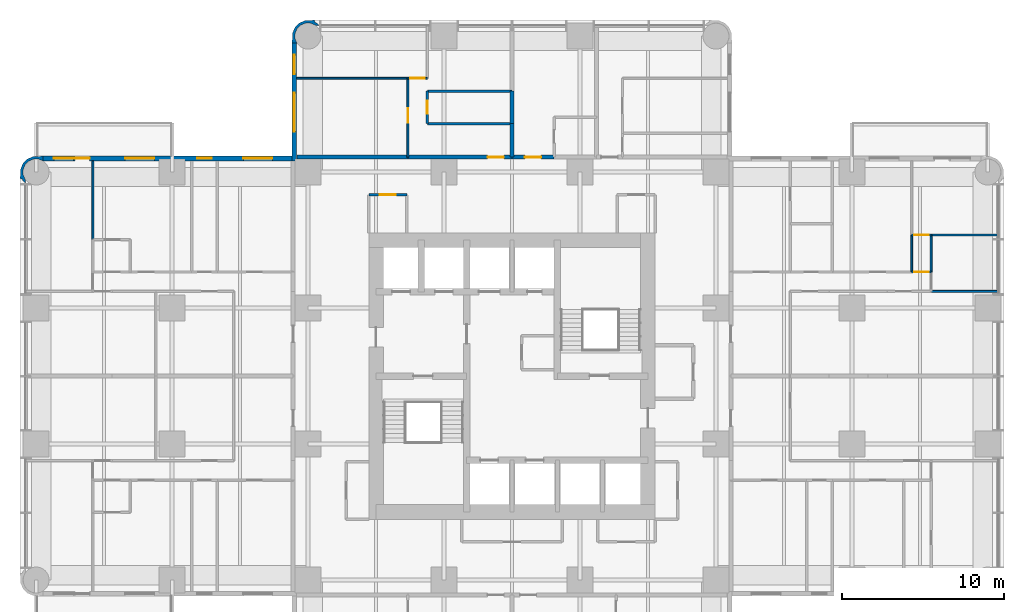
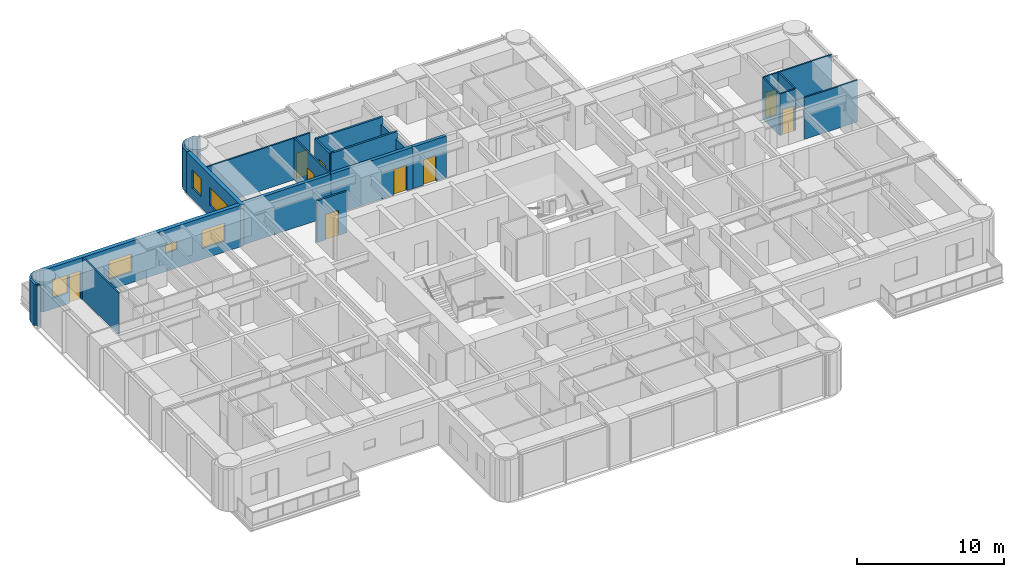
# One storey, part 11 of 15: 23 walls, 9 doors, 6 windows, 15 openings.
"""IFC4 building model written with IfcOpenShell, lengths in metres."""

from ifc_helpers import new_model, si_unit, direction, frame, frame_2d, origin, place, context, subcontext, project, spatial, polyline, rectangle, outline, extrude, material, layer, layer_set, type_object, element, fill, save


model = new_model("IFC4")

# Units and contexts
model_context = context("Model", 3, precision=1e-05, world=origin(), true_north=direction((0.0, 1.0)))
body_context = subcontext(model_context, "Body", "Model", "MODEL_VIEW")
ifc_project = project(units=[si_unit("LENGTHUNIT", "METRE"), si_unit("AREAUNIT", "SQUARE_METRE"), si_unit("VOLUMEUNIT", "CUBIC_METRE"), si_unit("PLANEANGLEUNIT", "RADIAN"), si_unit("MASSUNIT", "GRAM", prefix="KILO")], contexts=[model_context])

# Site, building, storey
site_placement = place(None, origin())
site = spatial("IfcSite", under=ifc_project, at=site_placement, CompositionType="ELEMENT")
building_placement = place(site_placement, origin())
building = spatial("IfcBuilding", under=site, at=building_placement, Name="Torre Alcanfor", CompositionType="ELEMENT")
storey_placement = place(building_placement, frame((0.0, 0.0, 152.10009765625)))
storey = spatial("IfcBuildingStorey", under=building, at=storey_placement, Name="L39", CompositionType="ELEMENT", Elevation=152.10009765625)

# Wall, opening, door
ifc_material_1 = material(Name="Concrete block masonry, hollow blocks NMX-C-404 9 MPa", Category="masonry")
ifc_layer_1 = layer(ifc_material_1, 0.25)
ifc_layer_set_1 = layer_set([ifc_layer_1], Name="Apartment entrance wall 250 EI 60")
wall_type_1 = type_object("IfcWallType", Name="Apartment entrance wall 250 EI 60", PredefinedType="PARTITIONING", material=ifc_layer_set_1)
wall_1_placement = place(storey_placement, frame((22.970947265625, 42.925048828125, 0.0), z_axis=(0.0, 0.0, 1.0), x_axis=(1.0, 0.0, 0.0)))
wall_1 = element("IfcWall", 1, at=wall_1_placement, inside=storey, type_object=wall_type_1, Name="Partition L39-CORR / L39-N1-LIVING", PredefinedType="PARTITIONING", context=body_context, shape_type="SweptSolid", body=[
    extrude(rectangle(XDim=6.428955078125, YDim=0.25, at=frame_2d((3.21435546875, 0.0))), origin(), (0.0, 0.0, 1.0), 3.449951171875),
])
opening_1_placement = place(wall_1_placement, frame((4.928955078125, 0.0, 0.0)))
opening_1 = element("IfcOpeningElement", 2, at=opening_1_placement, cuts=wall_1, Name="Opening D-A1", PredefinedType="OPENING", context=body_context, shape_type="SweptSolid", body=[
    extrude(rectangle(XDim=1.0, YDim=2.10009765625, at=frame_2d((0.5, 1.050048828125))), frame((0.0, 0.135009765625, 0.0), z_axis=(0.0, -1.0, 0.0), x_axis=(1.0, 0.0, 0.0)), (0.0, 0.0, 1.0), 0.27001953125),
])
ifc_material_2 = material(Name="Galvanised steel sheet ASTM A653", Category="steel")
door_type_1 = type_object("IfcDoorType", Name="Apartment entrance door FD60 1000x2100", OperationType="SINGLE_SWING_LEFT", PredefinedType="DOOR", material=ifc_material_2)
door_1_placement = place(opening_1_placement, origin())
door_1 = element("IfcDoor", 3, at=door_1_placement, inside=storey, type_object=door_type_1, Name="Apartment entrance L39-N1", OperationType="SINGLE_SWING_RIGHT", OverallHeight=2.10009765625, OverallWidth=1.0, PredefinedType="DOOR", context=body_context, shape_type="SweptSolid", body=[
    extrude(rectangle(XDim=1.0, YDim=2.10009765625, at=frame_2d((0.5, 1.050048828125))), frame((0.0, 0.02490234375, 0.0), z_axis=(0.0, -1.0, 0.0), x_axis=(1.0, 0.0, 0.0)), (0.0, 0.0, 1.0), 0.050048828125),
])
fill(opening_1, door_1)

# Wall
wall_2_placement = place(storey_placement, frame((16.10009765625, 42.925048828125, 0.0), z_axis=(0.0, 0.0, 1.0), x_axis=(1.0, 0.0, 0.0)))
element("IfcWall", 4, at=wall_2_placement, inside=storey, type_object=wall_type_1, Name="Partition L39-CORR / L39-N1-BED2", PredefinedType="PARTITIONING", context=body_context, shape_type="SweptSolid", body=[
    extrude(rectangle(XDim=6.870849609375, YDim=0.25, at=frame_2d((3.435546875, 0.0))), origin(), (0.0, 0.0, 1.0), 3.449951171875),
])

# Wall, opening, door
wall_3_placement = place(storey_placement, frame((29.39990234375, 42.925048828125, 0.0), z_axis=(0.0, 0.0, 1.0), x_axis=(1.0, 0.0, 0.0)))
wall_3 = element("IfcWall", 5, at=wall_3_placement, inside=storey, type_object=wall_type_1, Name="Partition L39-CORR / L39-N2A-STUDIO", PredefinedType="PARTITIONING", context=body_context, shape_type="SweptSolid", body=[
    extrude(rectangle(XDim=2.60009765625, YDim=0.25, at=frame_2d((1.300048828125, 0.0))), origin(), (0.0, 0.0, 1.0), 3.449951171875),
])
opening_2_placement = place(wall_3_placement, frame((0.800048828125, 0.0, 0.0)))
opening_2 = element("IfcOpeningElement", 6, at=opening_2_placement, cuts=wall_3, Name="Opening D-A1", PredefinedType="OPENING", context=body_context, shape_type="SweptSolid", body=[
    extrude(rectangle(XDim=1.0, YDim=2.10009765625, at=frame_2d((0.5, 1.050048828125))), frame((0.0, 0.135009765625, 0.0), z_axis=(0.0, -1.0, 0.0), x_axis=(1.0, 0.0, 0.0)), (0.0, 0.0, 1.0), 0.27001953125),
])
door_2_placement = place(opening_2_placement, origin())
door_2 = element("IfcDoor", 7, at=door_2_placement, inside=storey, type_object=door_type_1, Name="Apartment entrance L39-N2A", OperationType="SINGLE_SWING_LEFT", OverallHeight=2.10009765625, OverallWidth=1.0, PredefinedType="DOOR", context=body_context, shape_type="SweptSolid", body=[
    extrude(rectangle(XDim=1.0, YDim=2.10009765625, at=frame_2d((0.5, 1.050048828125))), frame((0.0, 0.02490234375, 0.0), z_axis=(0.0, -1.0, 0.0), x_axis=(1.0, 0.0, 0.0)), (0.0, 0.0, 1.0), 0.050048828125),
])
fill(opening_2, door_2)

ifc_material_3 = material(Name="Gypsum board on steel studs", Category="steel")
ifc_layer_2 = layer(ifc_material_3, 0.1201171875)
ifc_layer_set_2 = layer_set([ifc_layer_2], Name="Apartment partition 120")
wall_type_2 = type_object("IfcWallType", Name="Apartment partition 120", PredefinedType="PARTITIONING", material=ifc_layer_set_2)
wall_4_placement = place(storey_placement, frame((22.970947265625, 42.925048828125, 0.0), z_axis=(0.0, 0.0, 1.0), x_axis=(0.0, 1.0, 0.0)))
wall_4 = element("IfcWall", 8, at=wall_4_placement, inside=storey, type_object=wall_type_2, Name="Partition L39-N1-LIVING / L39-N1-BED2", PredefinedType="PARTITIONING", context=body_context, shape_type="SweptSolid", body=[
    extrude(rectangle(XDim=4.875, YDim=0.1201171875, at=frame_2d((2.4375, 0.0))), origin(), (0.0, 0.0, 1.0), 3.449951171875),
])
opening_3_placement = place(wall_4_placement, frame((2.125, 0.0, 0.0)))
opening_3 = element("IfcOpeningElement", 9, at=opening_3_placement, cuts=wall_4, Name="Opening D-R1", PredefinedType="OPENING", context=body_context, shape_type="SweptSolid", body=[
    extrude(rectangle(XDim=0.89990234375, YDim=2.10009765625, at=frame_2d((0.449951171875, 1.050048828125))), frame((0.0, 0.070068359375, 0.0), z_axis=(0.0, -1.0, 0.0), x_axis=(1.0, 0.0, 0.0)), (0.0, 0.0, 1.0), 0.14013671875),
])
ifc_material_4 = material(Name="Timber", Category="wood")
door_type_2 = type_object("IfcDoorType", Name="Internal door 900x2100", OperationType="SINGLE_SWING_LEFT", PredefinedType="DOOR", material=ifc_material_4)
door_3_placement = place(opening_3_placement, origin())
door_3 = element("IfcDoor", 10, at=door_3_placement, inside=storey, type_object=door_type_2, Name="Door L39-N1 bed2", OperationType="SINGLE_SWING_RIGHT", OverallHeight=2.10009765625, OverallWidth=0.89990234375, PredefinedType="DOOR", context=body_context, shape_type="SweptSolid", body=[
    extrude(rectangle(XDim=0.89990234375, YDim=2.10009765625, at=frame_2d((0.449951171875, 1.050048828125))), frame((0.0, 0.02490234375, 0.0), z_axis=(0.0, -1.0, 0.0), x_axis=(1.0, 0.0, 0.0)), (0.0, 0.0, 1.0), 0.050048828125),
])
fill(opening_3, door_3)

wall_5_placement = place(storey_placement, frame((22.970947265625, 47.800048828125, 0.0), z_axis=(0.0, 0.0, 1.0), x_axis=(1.0, 0.0, 0.0)))
wall_5 = element("IfcWall", 11, at=wall_5_placement, inside=storey, type_object=wall_type_2, Name="Partition L39-N1-LIVING / L39-N1-MASTER", PredefinedType="PARTITIONING", context=body_context, shape_type="SweptSolid", body=[
    extrude(rectangle(XDim=1.199951171875, YDim=0.1201171875, at=frame_2d((0.60009765625, 0.0))), origin(), (0.0, 0.0, 1.0), 3.449951171875),
])
opening_4_placement = place(wall_5_placement, frame((0.14892578125, 0.0, 0.0)))
opening_4 = element("IfcOpeningElement", 12, at=opening_4_placement, cuts=wall_5, Name="Opening D-R1", PredefinedType="OPENING", context=body_context, shape_type="SweptSolid", body=[
    extrude(rectangle(XDim=0.89990234375, YDim=2.10009765625, at=frame_2d((0.449951171875, 1.050048828125))), frame((0.0, 0.070068359375, 0.0), z_axis=(0.0, -1.0, 0.0), x_axis=(1.0, 0.0, 0.0)), (0.0, 0.0, 1.0), 0.14013671875),
])
door_4_placement = place(opening_4_placement, origin())
door_4 = element("IfcDoor", 13, at=door_4_placement, inside=storey, type_object=door_type_2, Name="Door L39-N1 master", OperationType="SINGLE_SWING_RIGHT", OverallHeight=2.10009765625, OverallWidth=0.89990234375, PredefinedType="DOOR", context=body_context, shape_type="SweptSolid", body=[
    extrude(rectangle(XDim=0.89990234375, YDim=2.10009765625, at=frame_2d((0.449951171875, 1.050048828125))), frame((0.0, 0.02490234375, 0.0), z_axis=(0.0, -1.0, 0.0), x_axis=(1.0, 0.0, 0.0)), (0.0, 0.0, 1.0), 0.050048828125),
])
fill(opening_4, door_4)

# Walls
wall_6_placement = place(storey_placement, frame((22.970947265625, 47.800048828125, 0.0), z_axis=(0.0, 0.0, 1.0), x_axis=(-1.0, 0.0, 0.0)))
element("IfcWall", 14, at=wall_6_placement, inside=storey, type_object=wall_type_2, Name="Partition L39-N1-BED2 / L39-N1-MASTER", PredefinedType="PARTITIONING", context=body_context, shape_type="SweptSolid", body=[
    extrude(rectangle(XDim=6.870849609375, YDim=0.1201171875, at=frame_2d((3.435546875, 0.0))), origin(), (0.0, 0.0, 1.0), 3.449951171875),
])
wall_7_placement = place(storey_placement, frame((59.449951171875, 34.62890625, 0.0), z_axis=(0.0, 0.0, 1.0), x_axis=(-1.0, 0.0, 0.0)))
element("IfcWall", 15, at=wall_7_placement, inside=storey, type_object=wall_type_2, Name="Partition L39-E1-LIVING / L39-E1-BED2", PredefinedType="PARTITIONING", context=body_context, shape_type="SweptSolid", body=[
    extrude(rectangle(XDim=4.14990234375, YDim=0.1201171875, at=frame_2d((2.074951171875, 0.0))), origin(), (0.0, 0.0, 1.0), 3.449951171875),
])

# Wall, opening, door
wall_8_placement = place(storey_placement, frame((55.300048828125, 35.8291015625, 0.0), z_axis=(0.0, 0.0, 1.0), x_axis=(-1.0, 0.0, 0.0)))
wall_8 = element("IfcWall", 16, at=wall_8_placement, inside=storey, type_object=wall_type_2, Name="Partition L39-E1-HALL / L39-E1-VEST", PredefinedType="PARTITIONING", context=body_context, shape_type="SweptSolid", body=[
    extrude(rectangle(XDim=1.199951171875, YDim=0.1201171875, at=frame_2d((0.60009765625, 0.0))), origin(), (0.0, 0.0, 1.0), 3.449951171875),
])
opening_5_placement = place(wall_8_placement, frame((0.14990234375, 0.0, 0.0)))
opening_5 = element("IfcOpeningElement", 17, at=opening_5_placement, cuts=wall_8, Name="Opening D-R1", PredefinedType="OPENING", context=body_context, shape_type="SweptSolid", body=[
    extrude(rectangle(XDim=0.89990234375, YDim=2.10009765625, at=frame_2d((0.449951171875, 1.050048828125))), frame((0.0, 0.070068359375, 0.0), z_axis=(0.0, -1.0, 0.0), x_axis=(1.0, 0.0, 0.0)), (0.0, 0.0, 1.0), 0.14013671875),
])
door_5_placement = place(opening_5_placement, frame((0.89990234375, 0.0, 0.0), z_axis=(0.0, 0.0, 1.0), x_axis=(-1.0, 0.0, 0.0)))
door_5 = element("IfcDoor", 18, at=door_5_placement, inside=storey, type_object=door_type_2, Name="Door L39-E1 vest", OperationType="SINGLE_SWING_RIGHT", OverallHeight=2.10009765625, OverallWidth=0.89990234375, PredefinedType="DOOR", context=body_context, shape_type="SweptSolid", body=[
    extrude(rectangle(XDim=0.89990234375, YDim=2.10009765625, at=frame_2d((0.449951171875, 1.050048828125))), frame((0.0, 0.025146484375, 0.0), z_axis=(0.0, -1.0, 0.0), x_axis=(1.0, 0.0, 0.0)), (0.0, 0.0, 1.0), 0.050048828125),
])
fill(opening_5, door_5)

# Walls
for number, where, z_axis, x_axis, name in (
    (19, (54.10009765625, 35.8291015625, 0.0), (0.0, 0.0, 1.0), (0.0, 1.0, 0.0), "Partition L39-E1-BED3 / L39-E1-VEST"),
    (20, (55.300048828125, 35.8291015625, 0.0), (0.0, 0.0, 1.0), (0.0, 1.0, 0.0), "Partition L39-E1-VEST / L39-E1-BED2"),
):
    element("IfcWall", number, at=place(storey_placement, frame(where, z_axis=z_axis, x_axis=x_axis)), inside=storey, type_object=wall_type_2, Name=name, PredefinedType="PARTITIONING", context=body_context, shape_type="SweptSolid", body=[
        extrude(rectangle(XDim=2.284912109375, YDim=0.1201171875, at=frame_2d((1.142578125, 0.0))), origin(), (0.0, 0.0, 1.0), 3.449951171875),
    ])

# Wall, opening, door
wall_9_placement = place(storey_placement, frame((55.300048828125, 38.114013671875, 0.0), z_axis=(0.0, 0.0, 1.0), x_axis=(-1.0, 0.0, 0.0)))
wall_9 = element("IfcWall", 21, at=wall_9_placement, inside=storey, type_object=wall_type_2, Name="Partition L39-E1-VEST / L39-E1-MASTER", PredefinedType="PARTITIONING", context=body_context, shape_type="SweptSolid", body=[
    extrude(rectangle(XDim=1.199951171875, YDim=0.1201171875, at=frame_2d((0.60009765625, 0.0))), origin(), (0.0, 0.0, 1.0), 3.449951171875),
])
opening_6_placement = place(wall_9_placement, frame((0.14990234375, 0.0, 0.0)))
opening_6 = element("IfcOpeningElement", 22, at=opening_6_placement, cuts=wall_9, Name="Opening D-R1", PredefinedType="OPENING", context=body_context, shape_type="SweptSolid", body=[
    extrude(rectangle(XDim=0.89990234375, YDim=2.10009765625, at=frame_2d((0.449951171875, 1.050048828125))), frame((0.0, 0.070068359375, 0.0), z_axis=(0.0, -1.0, 0.0), x_axis=(1.0, 0.0, 0.0)), (0.0, 0.0, 1.0), 0.14013671875),
])
door_6_placement = place(opening_6_placement, origin())
door_6 = element("IfcDoor", 23, at=door_6_placement, inside=storey, type_object=door_type_2, Name="Door L39-E1 master", OperationType="SINGLE_SWING_LEFT", OverallHeight=2.10009765625, OverallWidth=0.89990234375, PredefinedType="DOOR", context=body_context, shape_type="SweptSolid", body=[
    extrude(rectangle(XDim=0.89990234375, YDim=2.10009765625, at=frame_2d((0.449951171875, 1.050048828125))), frame((0.0, 0.02490234375, 0.0), z_axis=(0.0, -1.0, 0.0), x_axis=(1.0, 0.0, 0.0)), (0.0, 0.0, 1.0), 0.050048828125),
])
fill(opening_6, door_6)

# Walls
wall_10_placement = place(storey_placement, frame((59.449951171875, 38.114013671875, 0.0), z_axis=(0.0, 0.0, 1.0), x_axis=(-1.0, 0.0, 0.0)))
element("IfcWall", 24, at=wall_10_placement, inside=storey, type_object=wall_type_2, Name="Partition L39-E1-BED2 / L39-E1-MASTER", PredefinedType="PARTITIONING", context=body_context, shape_type="SweptSolid", body=[
    extrude(rectangle(XDim=4.14990234375, YDim=0.1201171875, at=frame_2d((2.074951171875, 0.0))), origin(), (0.0, 0.0, 1.0), 3.449951171875),
])
wall_11_placement = place(storey_placement, frame((3.5, 37.8291015625, 0.0), z_axis=(0.0, 0.0, 1.0), x_axis=(0.0, 1.0, 0.0)))
element("IfcWall", 25, at=wall_11_placement, inside=storey, type_object=wall_type_2, Name="Partition L39-W2-MASTER / L39-W2-WGARD", PredefinedType="PARTITIONING", context=body_context, shape_type="SweptSolid", body=[
    extrude(rectangle(XDim=4.870849609375, YDim=0.1201171875, at=frame_2d((2.435546875, 0.0))), origin(), (0.0, 0.0, 1.0), 3.449951171875),
])

# Wall, openings, door, windows
ifc_material_5 = material(Name="Limestone cladding", Category="masonry")
ifc_layer_3 = layer(ifc_material_5, 0.0400390625, Name="Facing")
ifc_material_6 = material(Name="Ventilated air cavity")
ifc_layer_4 = layer(ifc_material_6, 0.02001953125, ventilated=True, Name="Ventilated joint")
ifc_material_7 = material(Name="Mineral wool insulation", Category="insulation")
ifc_layer_5 = layer(ifc_material_7, 0.10009765625, Name="Insulation")
ifc_material_8 = material(Name="Concrete f'c 35 MPa", Category="concrete")
ifc_layer_6 = layer(ifc_material_8, 0.139892578125, Name="Backing")
ifc_layer_set_3 = layer_set([ifc_layer_3, ifc_layer_4, ifc_layer_5, ifc_layer_6], Name="External wall stone-clad 300")
wall_type_3 = type_object("IfcWallType", Name="External wall stone-clad 300", PredefinedType="SOLIDWALL", material=ifc_layer_set_3)
wall_12_placement = place(storey_placement, frame((15.800048828125, 42.85009765625, 0.0), z_axis=(0.0, 0.0, 1.0), x_axis=(-1.0, 0.0, 0.0)))
wall_12 = element("IfcWall", 26, at=wall_12_placement, inside=storey, type_object=wall_type_3, Name="External wall L39 1", PredefinedType="SOLIDWALL", context=body_context, shape_type="SweptSolid", body=[
    extrude(rectangle(XDim=15.400146484375, YDim=0.300048828125, at=frame_2d((7.7001953125, 0.0))), origin(), (0.0, 0.0, 1.0), 3.449951171875),
])
opening_7_placement = place(wall_12_placement, frame((1.199951171875, 0.0, 0.89990234375)))
opening_7 = element("IfcOpeningElement", 27, at=opening_7_placement, cuts=wall_12, Name="Opening W2", PredefinedType="OPENING", context=body_context, shape_type="SweptSolid", body=[
    extrude(rectangle(XDim=1.800048828125, YDim=1.5, at=frame_2d((0.89990234375, 0.75))), frame((0.0, 0.159912109375, 0.0), z_axis=(0.0, -1.0, 0.0), x_axis=(1.0, 0.0, 0.0)), (0.0, 0.0, 1.0), 0.320068359375),
])
opening_8_placement = place(wall_12_placement, frame((4.949951171875, 0.0, 1.5)))
opening_8 = element("IfcOpeningElement", 28, at=opening_8_placement, cuts=wall_12, Name="Opening W3", PredefinedType="OPENING", context=body_context, shape_type="SweptSolid", body=[
    extrude(rectangle(XDim=0.89990234375, YDim=0.699951171875, at=frame_2d((0.449951171875, 0.35009765625))), frame((0.0, 0.159912109375, 0.0), z_axis=(0.0, -1.0, 0.0), x_axis=(1.0, 0.0, 0.0)), (0.0, 0.0, 1.0), 0.320068359375),
])
opening_9_placement = place(wall_12_placement, frame((8.5, 0.0, 0.89990234375)))
opening_9 = element("IfcOpeningElement", 29, at=opening_9_placement, cuts=wall_12, Name="Opening W2", PredefinedType="OPENING", context=body_context, shape_type="SweptSolid", body=[
    extrude(rectangle(XDim=1.800048828125, YDim=1.5, at=frame_2d((0.89990234375, 0.75))), frame((0.0, 0.159912109375, 0.0), z_axis=(0.0, -1.0, 0.0), x_axis=(1.0, 0.0, 0.0)), (0.0, 0.0, 1.0), 0.320068359375),
])
opening_10_placement = place(wall_12_placement, frame((12.5, 0.0, 0.0)))
opening_10 = element("IfcOpeningElement", 30, at=opening_10_placement, cuts=wall_12, Name="Opening D-B1", PredefinedType="OPENING", context=body_context, shape_type="SweptSolid", body=[
    extrude(rectangle(XDim=0.89990234375, YDim=2.39990234375, at=frame_2d((0.449951171875, 1.199951171875))), frame((0.0, 0.159912109375, 0.0), z_axis=(0.0, -1.0, 0.0), x_axis=(1.0, 0.0, 0.0)), (0.0, 0.0, 1.0), 0.320068359375),
])
opening_11_placement = place(wall_12_placement, frame((13.5, 0.0, 0.89990234375)))
opening_11 = element("IfcOpeningElement", 31, at=opening_11_placement, cuts=wall_12, Name="Opening W4", PredefinedType="OPENING", context=body_context, shape_type="SweptSolid", body=[
    extrude(rectangle(XDim=1.199951171875, YDim=1.5, at=frame_2d((0.60009765625, 0.75))), frame((0.0, 0.159912109375, 0.0), z_axis=(0.0, -1.0, 0.0), x_axis=(1.0, 0.0, 0.0)), (0.0, 0.0, 1.0), 0.320068359375),
])
ifc_material_9 = material(Name="Aluminium and glass", Category="aluminium")
door_type_3 = type_object("IfcDoorType", Name="Balcony door glazed 900x2400", OperationType="SINGLE_SWING_LEFT", PredefinedType="DOOR", material=ifc_material_9)
door_7_placement = place(opening_10_placement, origin())
door_7 = element("IfcDoor", 32, at=door_7_placement, inside=storey, type_object=door_type_3, Name="Balcony door L39-W2", OperationType="SINGLE_SWING_LEFT", OverallHeight=2.39990234375, OverallWidth=0.89990234375, PredefinedType="DOOR", context=body_context, shape_type="SweptSolid", body=[
    extrude(rectangle(XDim=0.89990234375, YDim=2.39990234375, at=frame_2d((0.449951171875, 1.199951171875))), frame((0.0, 0.02490234375, 0.0), z_axis=(0.0, -1.0, 0.0), x_axis=(1.0, 0.0, 0.0)), (0.0, 0.0, 1.0), 0.050048828125),
])
fill(opening_10, door_7)
ifc_material_10 = material(Name="Aluminium frame with clear double glazing", Category="aluminium")
window_type_1 = type_object("IfcWindowType", Name="Window bathroom 900x700", PartitioningType="SINGLE_PANEL", PredefinedType="WINDOW", material=ifc_material_10)
window_1_placement = place(opening_8_placement, origin())
window_1 = element("IfcWindow", 33, at=window_1_placement, inside=storey, type_object=window_type_1, Name="Window W3 L39-W2", OverallHeight=0.699951171875, OverallWidth=0.89990234375, PartitioningType="SINGLE_PANEL", PredefinedType="WINDOW", context=body_context, shape_type="SweptSolid", body=[
    extrude(rectangle(XDim=0.89990234375, YDim=0.699951171875, at=frame_2d((0.449951171875, 0.35009765625))), frame((0.0, 0.030029296875, 0.0), z_axis=(0.0, -1.0, 0.0), x_axis=(1.0, 0.0, 0.0)), (0.0, 0.0, 1.0), 0.06005859375),
])
fill(opening_8, window_1)
ifc_material_11 = material(Name="Aluminium frame with clear double glazing", Category="aluminium")
window_type_2 = type_object("IfcWindowType", Name="Window bedroom 1200x1500", PartitioningType="SINGLE_PANEL", PredefinedType="WINDOW", material=ifc_material_11)
window_2_placement = place(opening_11_placement, origin())
window_2 = element("IfcWindow", 34, at=window_2_placement, inside=storey, type_object=window_type_2, Name="Window W4 L39-W2", OverallHeight=1.5, OverallWidth=1.199951171875, PartitioningType="SINGLE_PANEL", PredefinedType="WINDOW", context=body_context, shape_type="SweptSolid", body=[
    extrude(rectangle(XDim=1.199951171875, YDim=1.5, at=frame_2d((0.60009765625, 0.75))), frame((0.0, 0.030029296875, 0.0), z_axis=(0.0, -1.0, 0.0), x_axis=(1.0, 0.0, 0.0)), (0.0, 0.0, 1.0), 0.06005859375),
])
fill(opening_11, window_2)
ifc_material_12 = material(Name="Aluminium frame with clear double glazing", Category="aluminium")
window_type_3 = type_object("IfcWindowType", Name="Window bedroom 1800x1500", PartitioningType="SINGLE_PANEL", PredefinedType="WINDOW", material=ifc_material_12)
window_3_placement = place(opening_7_placement, origin())
window_3 = element("IfcWindow", 35, at=window_3_placement, inside=storey, type_object=window_type_3, Name="Window W2 L39-W2", OverallHeight=1.5, OverallWidth=1.800048828125, PartitioningType="SINGLE_PANEL", PredefinedType="WINDOW", context=body_context, shape_type="SweptSolid", body=[
    extrude(rectangle(XDim=1.800048828125, YDim=1.5, at=frame_2d((0.89990234375, 0.75))), frame((0.0, 0.030029296875, 0.0), z_axis=(0.0, -1.0, 0.0), x_axis=(1.0, 0.0, 0.0)), (0.0, 0.0, 1.0), 0.06005859375),
])
fill(opening_7, window_3)
window_4_placement = place(opening_9_placement, origin())
window_4 = element("IfcWindow", 36, at=window_4_placement, inside=storey, type_object=window_type_3, Name="Window W2 L39-W2", OverallHeight=1.5, OverallWidth=1.800048828125, PartitioningType="SINGLE_PANEL", PredefinedType="WINDOW", context=body_context, shape_type="SweptSolid", body=[
    extrude(rectangle(XDim=1.800048828125, YDim=1.5, at=frame_2d((0.89990234375, 0.75))), frame((0.0, 0.030029296875, 0.0), z_axis=(0.0, -1.0, 0.0), x_axis=(1.0, 0.0, 0.0)), (0.0, 0.0, 1.0), 0.06005859375),
])
fill(opening_9, window_4)

# Wall, openings, windows
wall_13_placement = place(storey_placement, frame((15.949951171875, 50.0, 0.0), z_axis=(0.0, 0.0, 1.0), x_axis=(0.0, -1.0, 0.0)))
wall_13 = element("IfcWall", 37, at=wall_13_placement, inside=storey, type_object=wall_type_3, Name="External wall L39 12", PredefinedType="SOLIDWALL", context=body_context, shape_type="SweptSolid", body=[
    extrude(rectangle(XDim=7.300048828125, YDim=0.300048828125, at=frame_2d((3.64990234375, 0.0))), origin(), (0.0, 0.0, 1.0), 3.449951171875),
])
opening_12_placement = place(wall_13_placement, frame((3.10009765625, 0.0, 0.89990234375)))
opening_12 = element("IfcOpeningElement", 38, at=opening_12_placement, cuts=wall_13, Name="Opening W1", PredefinedType="OPENING", context=body_context, shape_type="SweptSolid", body=[
    extrude(rectangle(XDim=2.39990234375, YDim=1.5, at=frame_2d((1.199951171875, 0.75))), frame((0.0, 0.159912109375, 0.0), z_axis=(0.0, -1.0, 0.0), x_axis=(1.0, 0.0, 0.0)), (0.0, 0.0, 1.0), 0.320068359375),
])
opening_13_placement = place(wall_13_placement, frame((0.75, 0.0, 0.89990234375)))
opening_13 = element("IfcOpeningElement", 39, at=opening_13_placement, cuts=wall_13, Name="Opening W4", PredefinedType="OPENING", context=body_context, shape_type="SweptSolid", body=[
    extrude(rectangle(XDim=1.199951171875, YDim=1.5, at=frame_2d((0.60009765625, 0.75))), frame((0.0, 0.159912109375, 0.0), z_axis=(0.0, -1.0, 0.0), x_axis=(1.0, 0.0, 0.0)), (0.0, 0.0, 1.0), 0.320068359375),
])
window_5_placement = place(opening_13_placement, origin())
window_5 = element("IfcWindow", 40, at=window_5_placement, inside=storey, type_object=window_type_2, Name="Window W4 L39-N1", OverallHeight=1.5, OverallWidth=1.199951171875, PartitioningType="SINGLE_PANEL", PredefinedType="WINDOW", context=body_context, shape_type="SweptSolid", body=[
    extrude(rectangle(XDim=1.199951171875, YDim=1.5, at=frame_2d((0.60009765625, 0.75))), frame((0.0, 0.030029296875, 0.0), z_axis=(0.0, -1.0, 0.0), x_axis=(1.0, 0.0, 0.0)), (0.0, 0.0, 1.0), 0.06005859375),
])
fill(opening_13, window_5)
ifc_material_13 = material(Name="Aluminium frame with clear double glazing", Category="aluminium")
window_type_4 = type_object("IfcWindowType", Name="Window bedroom 2400x1500", PartitioningType="SINGLE_PANEL", PredefinedType="WINDOW", material=ifc_material_13)
window_6_placement = place(opening_12_placement, origin())
window_6 = element("IfcWindow", 41, at=window_6_placement, inside=storey, type_object=window_type_4, Name="Window W1 L39-N1", OverallHeight=1.5, OverallWidth=2.39990234375, PartitioningType="SINGLE_PANEL", PredefinedType="WINDOW", context=body_context, shape_type="SweptSolid", body=[
    extrude(rectangle(XDim=2.39990234375, YDim=1.5, at=frame_2d((1.199951171875, 0.75))), frame((0.0, 0.030029296875, 0.0), z_axis=(0.0, -1.0, 0.0), x_axis=(1.0, 0.0, 0.0)), (0.0, 0.0, 1.0), 0.06005859375),
])
fill(opening_12, window_6)

# Walls
ifc_material_14 = material(Name="Concrete block masonry, hollow blocks NMX-C-404 9 MPa", Category="masonry")
ifc_layer_7 = layer(ifc_material_14, 0.25)
ifc_layer_set_4 = layer_set([ifc_layer_7], Name="Party wall 250 EI 60")
wall_type_4 = type_object("IfcWallType", Name="Party wall 250 EI 60", PredefinedType="PARTITIONING", material=ifc_layer_set_4)
wall_14_placement = place(storey_placement, frame((29.39990234375, 45.0, 0.0), z_axis=(0.0, 0.0, 1.0), x_axis=(0.0, 1.0, 0.0)))
element("IfcWall", 42, at=wall_14_placement, inside=storey, type_object=wall_type_4, Name="Partition L39-N1-BATH / L39-N2A-STUDIO", PredefinedType="PARTITIONING", context=body_context, shape_type="SweptSolid", body=[
    extrude(rectangle(XDim=2.0, YDim=0.25, at=frame_2d((1.0, 0.0))), origin(), (0.0, 0.0, 1.0), 2.847900390625),
])
wall_15_placement = place(storey_placement, frame((29.39990234375, 45.0, 0.0), z_axis=(0.0, 0.0, 1.0), x_axis=(0.0, -1.0, 0.0)))
element("IfcWall", 43, at=wall_15_placement, inside=storey, type_object=wall_type_4, Name="Partition L39-N1-LIVING / L39-N2A-STUDIO", PredefinedType="PARTITIONING", context=body_context, shape_type="SweptSolid", body=[
    extrude(rectangle(XDim=2.074951171875, YDim=0.25, at=frame_2d((1.03759765625, 0.0))), origin(), (0.0, 0.0, 1.0), 2.847900390625),
])

# Wall, opening, door
ifc_material_15 = material(Name="Concrete block masonry, hollow blocks NMX-C-404 9 MPa", Category="masonry")
ifc_layer_8 = layer(ifc_material_15, 0.14990234375)
ifc_layer_set_5 = layer_set([ifc_layer_8], Name="Residents' room partition 150")
wall_type_5 = type_object("IfcWallType", Name="Residents' room partition 150", PredefinedType="PARTITIONING", material=ifc_layer_set_5)
wall_16_placement = place(storey_placement, frame((22.89990234375, 40.60009765625, 0.0), z_axis=(0.0, 0.0, 1.0), x_axis=(-1.0, 0.0, 0.0)))
wall_16 = element("IfcWall", 44, at=wall_16_placement, inside=storey, type_object=wall_type_5, Name="Partition L39-CORR / L39-G01", PredefinedType="PARTITIONING", context=body_context, shape_type="SweptSolid", body=[
    extrude(rectangle(XDim=2.349853515625, YDim=0.14990234375, at=frame_2d((1.1748046875, 0.0))), origin(), (0.0, 0.0, 1.0), 3.449951171875),
])
opening_14_placement = place(wall_16_placement, frame((0.675048828125, 0.0, 0.0)))
opening_14 = element("IfcOpeningElement", 45, at=opening_14_placement, cuts=wall_16, Name="Opening D-M1", PredefinedType="OPENING", context=body_context, shape_type="SweptSolid", body=[
    extrude(rectangle(XDim=1.0, YDim=2.10009765625, at=frame_2d((0.5, 1.050048828125))), frame((0.0, 0.0849609375, 0.0), z_axis=(0.0, -1.0, 0.0), x_axis=(1.0, 0.0, 0.0)), (0.0, 0.0, 1.0), 0.169921875),
])
ifc_material_16 = material(Name="Timber", Category="wood")
door_type_4 = type_object("IfcDoorType", Name="Residents' room door 1000x2100", OperationType="SINGLE_SWING_LEFT", PredefinedType="DOOR", material=ifc_material_16)
door_8_placement = place(opening_14_placement, origin())
door_8 = element("IfcDoor", 46, at=door_8_placement, inside=storey, type_object=door_type_4, Name="Door L39-G01 bicycle store", OperationType="SINGLE_SWING_LEFT", OverallHeight=2.10009765625, OverallWidth=1.0, PredefinedType="DOOR", context=body_context, shape_type="SweptSolid", body=[
    extrude(rectangle(XDim=1.0, YDim=2.10009765625, at=frame_2d((0.5, 1.050048828125))), frame((0.0, 0.02490234375, 0.0), z_axis=(0.0, -1.0, 0.0), x_axis=(1.0, 0.0, 0.0)), (0.0, 0.0, 1.0), 0.050048828125),
])
fill(opening_14, door_8)

# Walls
ifc_layer_9 = layer(ifc_material_5, 0.0400390625, Name="Facing")
ifc_layer_10 = layer(ifc_material_6, 0.02001953125, ventilated=True, Name="Ventilated joint")
ifc_layer_11 = layer(ifc_material_7, 0.10009765625, Name="Insulation")
ifc_layer_12 = layer(ifc_material_8, 0.139892578125, Name="Backing")
ifc_layer_set_6 = layer_set([ifc_layer_9, ifc_layer_10, ifc_layer_11, ifc_layer_12], Name="Rounded corner pier stone-clad 300")
wall_type_6 = type_object("IfcWallType", Name="Rounded corner pier stone-clad 300", PredefinedType="SOLIDWALL", material=ifc_layer_set_6)
wall_17_placement = place(storey_placement, frame((0.326823795, 42.817059488, 0.0), z_axis=(0.0, 0.0, 1.0), x_axis=(-0.93923434088, 0.343276641956, 0.0)))
element("IfcWall", 47, at=wall_17_placement, inside=storey, type_object=wall_type_6, Name="Corner pier L39 13", PredefinedType="SOLIDWALL", context=body_context, shape_type="SweptSolid", body=[
    extrude(outline(polyline([(-0.005838677930572508, -0.19691017002240385), (0.2656725893480827, -0.05504723679548061), (0.5353355739365452, 0.04351070532859805), (0.8164808166219237, 0.3019667887790936), (0.9774010351300944, 0.6482698031873169), (0.9936526519661447, 1.0298167590229048), (0.8950947098420661, 1.2994797436113674), (0.8284439015683875, 1.5984799607341533), (0.6967504599124257, 1.5690632792769885), (0.6041212101125378, 1.6695954267902182), (0.39402236502400456, 1.7672242392847775), (0.4711255170258348, 1.5562634010012864), (0.5086990809760941, 1.538803702790635), (0.7241945805605172, 1.30408163961566), (0.8334799177457201, 1.0050675818747117), (0.8201287688443563, 0.6867053603325339), (0.6856890926223405, 0.3973889179155373), (0.4509670294473655, 0.1818934183311141), (0.15195297170641725, 0.07260808114591123), (-0.11630424425966698, 0.08399689688883538), (-0.12741215805145528, 0.07811756360614214), (-0.14598588403076265, 0.07132913391902448), (-0.005838677930572508, -0.19691017002240385)])), origin(), (0.0, 0.0, 1.0), 3.449951171875),
])
wall_18_placement = place(storey_placement, frame((17.448071802, 50.995317512, 0.0), z_axis=(0.0, 0.0, 1.0), x_axis=(-0.343276641956, 0.93923434088, 0.0)))
element("IfcWall", 48, at=wall_18_placement, inside=storey, type_object=wall_type_6, Name="Corner pier L39 20", PredefinedType="SOLIDWALL", context=body_context, shape_type="SweptSolid", body=[
    extrude(outline(polyline([(0.24108059829103723, 0.022959620234629247), (0.3334805428319213, 0.12357557552177408), (0.4651739844878831, 0.09415889406460926), (0.5320540980205655, 0.3930753034134802), (0.6306958479185591, 0.6629675932609465), (0.6144442310825087, 1.0445145490965344), (0.4535240125743382, 1.3908175635047577), (0.17229496211504458, 1.6490443416962495), (-0.0975973277324218, 1.7476860915942432), (-0.36910859501107685, 1.8895490248211664), (-0.5092558011112671, 1.6213097208797382), (-0.4906820751319597, 1.6145212911926206), (-0.47934485608116756, 1.6085581501360122), (-0.21131694537408713, 1.6200307736528514), (0.0879264176258649, 1.5106616286937335), (0.32264848080083985, 1.2951661291093102), (0.4569426595377669, 1.0061627997252323), (0.4702938084391308, 0.6878005781830546), (0.3609246634800129, 0.3885572151831026), (0.1454291638955897, 0.15383515200812764), (0.10816871297824923, 0.136520951282565), (0.030981753202503952, -0.0746691922599299), (0.24108059829103723, 0.022959620234629247)])), origin(), (0.0, 0.0, 1.0), 3.449951171875),
])
ifc_material_17 = material(Name="Cement board on steel studs", Category="steel")
ifc_layer_13 = layer(ifc_material_17, 0.14990234375)
ifc_layer_set_7 = layer_set([ifc_layer_13], Name="Wet area partition 150")
wall_type_7 = type_object("IfcWallType", Name="Wet area partition 150", PredefinedType="PARTITIONING", material=ifc_layer_set_7)
wall_19_placement = place(storey_placement, frame((29.39990234375, 47.0, 0.0), z_axis=(0.0, 0.0, 1.0), x_axis=(-1.0, 0.0, 0.0)))
element("IfcWall", 49, at=wall_19_placement, inside=storey, type_object=wall_type_7, Name="Partition L39-N1-BATH / L39-N1-LIVING", PredefinedType="PARTITIONING", context=body_context, shape_type="SweptSolid", body=[
    extrude(rectangle(XDim=5.22900390625, YDim=0.14990234375, at=frame_2d((2.614501953125, 0.0))), origin(), (0.0, 0.0, 1.0), 3.449951171875),
])

# Wall, opening, door
wall_20_placement = place(storey_placement, frame((24.1708984375, 47.0, 0.0), z_axis=(0.0, 0.0, 1.0), x_axis=(0.0, -1.0, 0.0)))
wall_20 = element("IfcWall", 50, at=wall_20_placement, inside=storey, type_object=wall_type_7, Name="Partition L39-N1-BATH / L39-N1-LIVING", PredefinedType="PARTITIONING", context=body_context, shape_type="SweptSolid", body=[
    extrude(rectangle(XDim=2.0, YDim=0.14990234375, at=frame_2d((1.0, 0.0))), origin(), (0.0, 0.0, 1.0), 3.449951171875),
])
opening_15_placement = place(wall_20_placement, frame((0.60009765625, 0.0, 0.0)))
opening_15 = element("IfcOpeningElement", 51, at=opening_15_placement, cuts=wall_20, Name="Opening D-R2", PredefinedType="OPENING", context=body_context, shape_type="SweptSolid", body=[
    extrude(rectangle(XDim=0.800048828125, YDim=2.10009765625, at=frame_2d((0.39990234375, 1.050048828125))), frame((0.0, 0.0849609375, 0.0), z_axis=(0.0, -1.0, 0.0), x_axis=(1.0, 0.0, 0.0)), (0.0, 0.0, 1.0), 0.169921875),
])
ifc_material_18 = material(Name="Timber", Category="wood")
door_type_5 = type_object("IfcDoorType", Name="Bathroom door 800x2100", OperationType="SINGLE_SWING_LEFT", PredefinedType="DOOR", material=ifc_material_18)
door_9_placement = place(opening_15_placement, origin())
door_9 = element("IfcDoor", 52, at=door_9_placement, inside=storey, type_object=door_type_5, Name="Door L39-N1 bath", OperationType="SINGLE_SWING_LEFT", OverallHeight=2.10009765625, OverallWidth=0.800048828125, PredefinedType="DOOR", context=body_context, shape_type="SweptSolid", body=[
    extrude(rectangle(XDim=0.800048828125, YDim=2.10009765625, at=frame_2d((0.39990234375, 1.050048828125))), frame((0.0, 0.02490234375, 0.0), z_axis=(0.0, -1.0, 0.0), x_axis=(1.0, 0.0, 0.0)), (0.0, 0.0, 1.0), 0.050048828125),
])
fill(opening_15, door_9)

# Wall
wall_21_placement = place(storey_placement, frame((24.1708984375, 45.0, 0.0), z_axis=(0.0, 0.0, 1.0), x_axis=(1.0, 0.0, 0.0)))
element("IfcWall", 53, at=wall_21_placement, inside=storey, type_object=wall_type_7, Name="Partition L39-N1-BATH / L39-N1-LIVING", PredefinedType="PARTITIONING", context=body_context, shape_type="SweptSolid", body=[
    extrude(rectangle(XDim=5.22900390625, YDim=0.14990234375, at=frame_2d((2.614501953125, 0.0))), origin(), (0.0, 0.0, 1.0), 3.449951171875),
])

save(model, "model.ifc")
